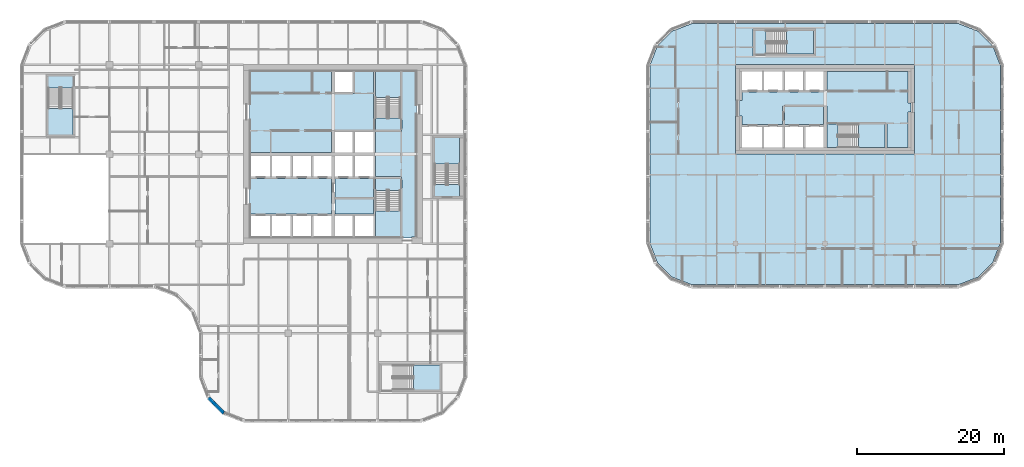
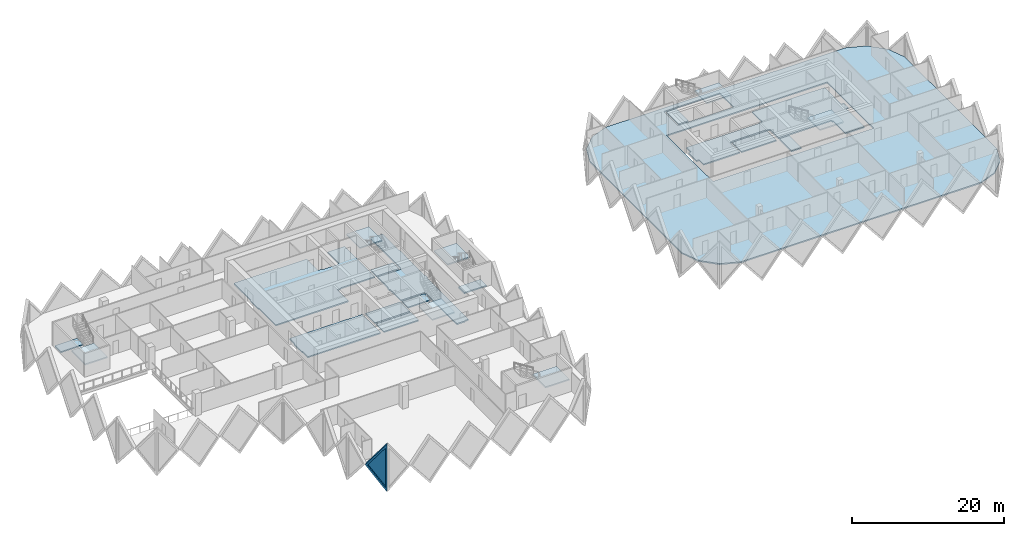
# One storey, part 3 of 19: 21 slabs, 1 plate, 1 wall, 1 opening, 7 elements without a shape of their own.
"""IFC4 building model written with IfcOpenShell, lengths in metres."""

import ifcopenshell
import ifcopenshell.guid

model = None  # the IFC model being written
_history = None  # IfcOwnerHistory: only IFC2X3 demands one
_inside = {}  # id of a spatial element -> (the spatial element, [elements in it])
_under = {}  # id of a project, library or spatial element -> (it, [spatial elements below it])
_declared = {}  # id of a project -> (the project, [libraries it declares])
_typed = {}  # id of a type object -> (the type object, [elements of that type])
_made_of = {}  # id of a material, layer set ... -> (it, [elements and type objects made of it])


def new_model(schema):
    """Start an empty IFC model of exactly this schema.

    Asked for "IFC4X3", IfcOpenShell would pick the latest addendum, in which some entities
    have other attributes; the version numbers below select the first issue.
    IFC2X3 requires an IfcOwnerHistory on every rooted entity: one is made here for all.
    """
    global model, _history
    if schema == "IFC4X3":
        model = ifcopenshell.file(schema_version=(4, 3, 0, 0))
    else:
        model = ifcopenshell.file(schema=schema)
    _inside.clear()
    _under.clear()
    _declared.clear()
    _typed.clear()
    _made_of.clear()
    _history = None
    if model.schema == "IFC2X3":
        org = make("IfcOrganization", Name="unknown")
        user = make(
            "IfcPersonAndOrganization",
            ThePerson=make("IfcPerson", FamilyName="unknown"),
            TheOrganization=org,
        )
        app = make(
            "IfcApplication",
            ApplicationDeveloper=org,
            Version="unknown",
            ApplicationFullName="unknown",
            ApplicationIdentifier="unknown",
        )
        _history = make(
            "IfcOwnerHistory",
            OwningUser=user,
            OwningApplication=app,
            ChangeAction="ADDED",
            CreationDate=0,
        )
    return model


def make(cls, **values):
    """One entity of the class cls with the attributes given. An attribute that is None is left unset."""
    return model.create_entity(
        cls, **{name: value for name, value in values.items() if value is not None}
    )


def rooted(cls, **values):
    """An entity with a GlobalId (a new one), such as an element, a storey or a relation."""
    return make(cls, GlobalId=ifcopenshell.guid.new(), OwnerHistory=_history, **values)


def si_unit(unit_type, name, prefix=None):
    """IfcSIUnit, for example si_unit("LENGTHUNIT", "METRE", prefix="MILLI")."""
    return make("IfcSIUnit", UnitType=unit_type, Prefix=prefix, Name=name)


def assignment(units):
    """IfcUnitAssignment: the units of a project."""
    return None if units is None else make("IfcUnitAssignment", Units=units)


def point(xyz):
    """IfcCartesianPoint."""
    return None if xyz is None else make("IfcCartesianPoint", Coordinates=xyz)


def direction(xyz):
    """IfcDirection."""
    return None if xyz is None else make("IfcDirection", DirectionRatios=xyz)


def frame(location, z_axis=None, x_axis=None):
    """IfcAxis2Placement3D, a coordinate frame: its origin and axes. An axis left out is left unset."""
    return make(
        "IfcAxis2Placement3D",
        Location=point(location),
        Axis=direction(z_axis),
        RefDirection=direction(x_axis),
    )


def origin():
    """The frame at (0, 0, 0) with its axes left unset."""
    return frame((0.0, 0.0, 0.0))


def place(relative_to, where):
    """IfcLocalPlacement: puts the frame where relative to a parent placement (None: the world)."""
    return make(
        "IfcLocalPlacement", PlacementRelTo=relative_to, RelativePlacement=where
    )


def context(
    kind, dimensions, precision=None, world=None, true_north=None, identifier=None
):
    """IfcGeometricRepresentationContext, for example the 3D "Model" context."""
    return make(
        "IfcGeometricRepresentationContext",
        ContextIdentifier=identifier,
        ContextType=kind,
        CoordinateSpaceDimension=dimensions,
        Precision=precision,
        WorldCoordinateSystem=world,
        TrueNorth=true_north,
    )


def subcontext(parent, identifier, kind, view, scale=None):
    """IfcGeometricRepresentationSubContext, for example "Body" below "Model"."""
    return make(
        "IfcGeometricRepresentationSubContext",
        ContextIdentifier=identifier,
        ContextType=kind,
        ParentContext=parent,
        TargetScale=scale,
        TargetView=view,
    )


def project(units=None, contexts=None):
    """IfcProject with its units and contexts."""
    return rooted(
        "IfcProject",
        Name="project",
        RepresentationContexts=contexts,
        UnitsInContext=assignment(units),
    )


def spatial(cls, under=None, at=None, **own):
    """A site, building, storey or space (cls), placed at a placement, below another one or the project."""
    s = rooted(cls, ObjectPlacement=at, **own)
    if under is not None:
        _under.setdefault(under.id(), (under, []))[1].append(s)
    return s


def polyline(points):
    """IfcPolyline through the points."""
    return make("IfcPolyline", Points=[point(p) for p in points])


def outline(outer, holes=None, kind="AREA"):
    """IfcArbitraryClosedProfileDef: a profile drawn as a closed curve; with holes, ...WithVoids."""
    if holes is None:
        return make("IfcArbitraryClosedProfileDef", ProfileType=kind, OuterCurve=outer)
    return make(
        "IfcArbitraryProfileDefWithVoids",
        ProfileType=kind,
        OuterCurve=outer,
        InnerCurves=holes,
    )


def extrude(swept, where, along, depth):
    """IfcExtrudedAreaSolid: the profile swept, set in the frame where, extruded along a direction by depth."""
    return make(
        "IfcExtrudedAreaSolid",
        SweptArea=swept,
        Position=where,
        ExtrudedDirection=direction(along),
        Depth=depth,
    )


def faces_of(points, faces, orient=None, outer=None):
    """IfcFace entities. A face is a list of loops; a loop is a list of indices into points, from 0.

    orient and outer hold one flag for each loop. By default every Orientation is true, the
    first loop of a face is its IfcFaceOuterBound and the others are IfcFaceBound.
    """
    made = []
    for i, loops in enumerate(faces):
        bounds = []
        for j, loop in enumerate(loops):
            is_outer = j == 0 if outer is None else outer[i][j]
            bounds.append(
                make(
                    "IfcFaceOuterBound" if is_outer else "IfcFaceBound",
                    Bound=make("IfcPolyLoop", Polygon=[points[k] for k in loop]),
                    Orientation=True if orient is None else orient[i][j],
                )
            )
        made.append(make("IfcFace", Bounds=bounds))
    return made


def faceted_brep(points, faces, orient=None, outer=None, voids=None):
    """IfcFacetedBrep: a solid bounded by flat faces; with voids (closed shells), ...WithVoids."""
    shared = [point(p) for p in points]
    hull = make("IfcClosedShell", CfsFaces=faces_of(shared, faces, orient, outer))
    if voids is None:
        return make("IfcFacetedBrep", Outer=hull)
    return make(
        "IfcFacetedBrepWithVoids",
        Outer=hull,
        Voids=[
            make(cls, CfsFaces=faces_of(shared, fs, o, b)) for cls, fs, o, b in voids
        ],
    )


def shape(context_of_items, identifier, shape_type, items):
    """IfcShapeRepresentation: the items that make up one representation, for example the "Body"."""
    return make(
        "IfcShapeRepresentation",
        ContextOfItems=context_of_items,
        RepresentationIdentifier=identifier,
        RepresentationType=shape_type,
        Items=items,
    )


def source(mapping_origin, context_of_items, identifier, shape_type, items):
    """IfcRepresentationMap: a shape defined once, which mapped items show again and again."""
    return make(
        "IfcRepresentationMap",
        MappingOrigin=mapping_origin,
        MappedRepresentation=shape(context_of_items, identifier, shape_type, items),
    )


def transform(
    local_origin,
    x_axis=None,
    y_axis=None,
    z_axis=None,
    scale=None,
    scale2=None,
    scale3=None,
    uniform=True,
):
    """IfcCartesianTransformationOperator3D, or its non-uniform kind. x_axis, y_axis, z_axis: its Axis1, 2, 3."""
    if uniform:
        return make(
            "IfcCartesianTransformationOperator3D",
            Axis1=direction(x_axis),
            Axis2=direction(y_axis),
            LocalOrigin=point(local_origin),
            Scale=scale,
            Axis3=direction(z_axis),
        )
    return make(
        "IfcCartesianTransformationOperator3DnonUniform",
        Axis1=direction(x_axis),
        Axis2=direction(y_axis),
        LocalOrigin=point(local_origin),
        Scale=scale,
        Axis3=direction(z_axis),
        Scale2=scale2,
        Scale3=scale3,
    )


def mapped(mapping_source, mapping_target):
    """IfcMappedItem: shows the shape of a source again, moved by a transform."""
    return make(
        "IfcMappedItem", MappingSource=mapping_source, MappingTarget=mapping_target
    )


def material(Name=None, Category=None):
    """IfcMaterial."""
    return make("IfcMaterial", Name=Name, Category=Category)


def layer(
    of_material, thickness, ventilated=None, Name=None, Category=None, Priority=None
):
    """IfcMaterialLayer: one layer of a wall or slab, of a material (None: an air gap)."""
    return make(
        "IfcMaterialLayer",
        Material=of_material,
        LayerThickness=thickness,
        IsVentilated=ventilated,
        Name=Name,
        Category=Category,
        Priority=Priority,
    )


def layer_set(layers, Name=None):
    """IfcMaterialLayerSet."""
    return make("IfcMaterialLayerSet", MaterialLayers=layers, LayerSetName=Name)


def made_of(thing, what):
    """Note that an element or type object is made of a material, layer set ...; save() writes the relation."""
    if what is not None:
        _made_of.setdefault(what.id(), (what, []))[1].append(thing)
    return thing


def type_object(cls, material=None, **own):
    """A type object (cls), such as IfcWallType, which elements share."""
    return made_of(rooted(cls, **own), material)


def element(
    cls,
    number,
    at=None,
    inside=None,
    cuts=None,
    type_object=None,
    material=None,
    context=None,
    identifier="Body",
    shape_type=None,
    held_by="IfcProductDefinitionShape",
    body=None,
    shapes=None,
    **own,
):
    """One element of the class cls, such as IfcWall. Its Tag is "e" and its number.

    at: its placement. inside: the storey or other place that contains it. cuts: it is an
    opening in that element (IfcRelVoidsElement). A single representation is given by context,
    identifier, shape_type and body (its items); several are given by shapes. held_by: the class
    of the entity that holds the representations. save() writes the other relations.
    """
    e = rooted(cls, Tag="e%d" % number, ObjectPlacement=at, **own)
    if body is not None:
        shapes = [shape(context, identifier, shape_type, body)]
    if shapes is not None:
        e.Representation = make(held_by, Representations=shapes)
    if inside is not None:
        _inside.setdefault(inside.id(), (inside, []))[1].append(e)
    if cuts is not None:
        rooted(
            "IfcRelVoidsElement", RelatingBuildingElement=cuts, RelatedOpeningElement=e
        )
    if type_object is not None:
        _typed.setdefault(type_object.id(), (type_object, []))[1].append(e)
    return made_of(e, material)


def fill(opening, filler):
    """IfcRelFillsElement: the door or window that sits in an opening."""
    return rooted(
        "IfcRelFillsElement",
        RelatingOpeningElement=opening,
        RelatedBuildingElement=filler,
    )


def aggregate(whole, parts):
    """IfcRelAggregates: a whole, such as a stair, and the parts it consists of."""
    return rooted("IfcRelAggregates", RelatingObject=whole, RelatedObjects=parts)


def save(model, path):
    """Write the relations noted so far, then the file.

    IfcRelAggregates (storeys below a building ...), IfcRelContainedInSpatialStructure (elements
    in a storey), IfcRelDefinesByType, IfcRelAssociatesMaterial and IfcRelDeclares: one each for
    every whole, place, type object, material and project.
    """
    for whole, parts in _under.values():
        aggregate(whole, parts)
    for where, things in _inside.values():
        rooted(
            "IfcRelContainedInSpatialStructure",
            RelatedElements=things,
            RelatingStructure=where,
        )
    for kind, things in _typed.values():
        rooted("IfcRelDefinesByType", RelatedObjects=things, RelatingType=kind)
    for what, things in _made_of.values():
        rooted("IfcRelAssociatesMaterial", RelatedObjects=things, RelatingMaterial=what)
    for by, libraries in _declared.values():
        rooted("IfcRelDeclares", RelatingContext=by, RelatedDefinitions=libraries)
    model.write(path)


model = new_model("IFC4")

# Units and contexts
model_context = context("Model", 3, precision=1e-05, world=origin(), true_north=direction((0.0, 1.0)))
body_context = subcontext(model_context, "Body", "Model", "MODEL_VIEW")
ifc_project = project(units=[si_unit("LENGTHUNIT", "METRE"), si_unit("AREAUNIT", "SQUARE_METRE"), si_unit("VOLUMEUNIT", "CUBIC_METRE"), si_unit("PLANEANGLEUNIT", "RADIAN"), si_unit("MASSUNIT", "GRAM", prefix="KILO")], contexts=[model_context])

# Site, building, storey
site_placement = place(None, origin())
site = spatial("IfcSite", under=ifc_project, at=site_placement, CompositionType="ELEMENT")
building_placement = place(site_placement, origin())
building = spatial("IfcBuilding", under=site, at=building_placement, Name="Tessera Gate Towers", CompositionType="ELEMENT")
storey_placement = place(building_placement, frame((0.0, 0.0, 72.39990234375)))
storey = spatial("IfcBuildingStorey", under=building, at=storey_placement, Name="L17", CompositionType="ELEMENT", Elevation=72.39990234375)

# Slabs
ifc_material_1 = material(Name="Concrete C35/45", Category="concrete")
ifc_layer_1 = layer(ifc_material_1, 0.199951171875)
ifc_layer_set_1 = layer_set([ifc_layer_1], Name="COMPOSITE FLOOR 200")
slab_type_1 = type_object("IfcSlabType", Name="COMPOSITE FLOOR 200", PredefinedType="FLOOR", material=ifc_layer_set_1)
slab_1_placement = place(storey_placement, frame((0.0, 0.0, -0.199951171875)))
element("IfcSlab", 1, at=slab_1_placement, inside=storey, type_object=slab_type_1, Name="T2-L17", PredefinedType="FLOOR", context=body_context, shape_type="SweptSolid", body=[
    extrude(outline(polyline([(85.89990234375, 24.4931640625), (86.926025390625, 21.8330078125), (88.93310546875, 19.826171875), (91.593017578125, 18.800048828125), (128.0068359375, 18.800048828125), (130.6669921875, 19.826171875), (132.673828125, 21.8330078125), (133.699951171875, 24.4931640625), (133.699951171875, 48.706787109375), (132.673828125, 51.366943359375), (130.6669921875, 53.373779296875), (128.0068359375, 54.39990234375), (91.593017578125, 54.39990234375), (88.93310546875, 53.373779296875), (86.926025390625, 51.366943359375), (85.89990234375, 48.706787109375), (85.89990234375, 24.4931640625)]), holes=[polyline([(97.60009765625, 36.60009765625), (97.60009765625, 48.800048828125), (122.0, 48.800048828125), (122.0, 36.60009765625), (97.60009765625, 36.60009765625)]), polyline([(100.0, 50.0), (100.0, 53.699951171875), (108.5, 53.699951171875), (108.5, 50.0), (100.0, 50.0)])]), origin(), (0.0, 0.0, 1.0), 0.199951171875),
])
ifc_material_2 = material(Name="Concrete C35/45", Category="concrete")
ifc_layer_2 = layer(ifc_material_2, 0.199951171875)
ifc_layer_set_2 = layer_set([ifc_layer_2], Name="CORE FLOOR SLAB 200")
slab_type_2 = type_object("IfcSlabType", Name="CORE FLOOR SLAB 200", PredefinedType="FLOOR", material=ifc_layer_set_2)
slab_2_placement = place(storey_placement, frame((0.0, 0.0, -0.199951171875)))
element("IfcSlab", 2, at=slab_2_placement, inside=storey, type_object=slab_type_2, Name="L17 core floor slab", PredefinedType="FLOOR", context=body_context, shape_type="SweptSolid", body=[
    extrude(outline(polyline([(31.39990234375, 47.89990234375), (31.39990234375, 43.39990234375), (31.300048828125, 43.39990234375), (31.300048828125, 41.300048828125), (31.39990234375, 41.300048828125), (31.39990234375, 36.85009765625), (42.449951171875, 36.85009765625), (42.449951171875, 39.800048828125), (42.949951171875, 39.800048828125), (42.949951171875, 39.925048828125), (48.22509765625, 39.925048828125), (48.22509765625, 47.89990234375), (45.64990234375, 47.89990234375), (45.64990234375, 44.89990234375), (45.39990234375, 44.89990234375), (45.39990234375, 44.77490234375), (42.949951171875, 44.77490234375), (42.949951171875, 44.89990234375), (42.449951171875, 44.89990234375), (42.449951171875, 47.89990234375), (31.39990234375, 47.89990234375)])), origin(), (0.0, 0.0, 1.0), 0.199951171875),
])
slab_3_placement = place(storey_placement, frame((0.0, 0.0, -0.199951171875)))
element("IfcSlab", 3, at=slab_3_placement, inside=storey, type_object=slab_type_2, Name="L17 core floor slab", PredefinedType="FLOOR", context=body_context, shape_type="SweptSolid", body=[
    extrude(outline(polyline([(52.199951171875, 25.199951171875), (53.39990234375, 25.199951171875), (53.39990234375, 25.300048828125), (54.0, 25.300048828125), (54.0, 36.320068359375), (54.10009765625, 36.320068359375), (54.10009765625, 36.8798828125), (54.0, 36.8798828125), (54.0, 42.10009765625), (54.10009765625, 42.10009765625), (54.10009765625, 43.300048828125), (54.0, 43.300048828125), (54.0, 47.89990234375), (52.125, 47.89990234375), (52.125, 39.925048828125), (52.0, 39.925048828125), (52.0, 39.675048828125), (48.47509765625, 39.675048828125), (48.47509765625, 36.85009765625), (48.35009765625, 36.85009765625), (48.35009765625, 36.35009765625), (48.47509765625, 36.35009765625), (48.47509765625, 33.52490234375), (52.0, 33.52490234375), (52.0, 33.27490234375), (52.125, 33.27490234375), (52.125, 25.300048828125), (52.199951171875, 25.300048828125), (52.199951171875, 25.199951171875)])), origin(), (0.0, 0.0, 1.0), 0.199951171875),
])
slab_4_placement = place(storey_placement, frame((0.0, 0.0, -0.199951171875)))
element("IfcSlab", 4, at=slab_4_placement, inside=storey, type_object=slab_type_2, Name="L17 core floor slab", PredefinedType="FLOOR", context=body_context, shape_type="SweptSolid", body=[
    extrude(outline(polyline([(31.39990234375, 29.800048828125), (31.39990234375, 28.425048828125), (42.449951171875, 28.425048828125), (42.449951171875, 33.27490234375), (31.39990234375, 33.27490234375), (31.39990234375, 31.89990234375), (31.300048828125, 31.89990234375), (31.300048828125, 29.800048828125), (31.39990234375, 29.800048828125)])), origin(), (0.0, 0.0, 1.0), 0.199951171875),
])
slab_5_placement = place(storey_placement, frame((0.0, 0.0, -0.199951171875)))
element("IfcSlab", 5, at=slab_5_placement, inside=storey, type_object=slab_type_2, Name="L17 core floor slab", PredefinedType="FLOOR", context=body_context, shape_type="SweptSolid", body=[
    extrude(outline(polyline([(42.949951171875, 33.27490234375), (42.949951171875, 30.72509765625), (48.22509765625, 30.72509765625), (48.22509765625, 33.27490234375), (42.949951171875, 33.27490234375)])), origin(), (0.0, 0.0, 1.0), 0.199951171875),
])
slab_6_placement = place(storey_placement, frame((0.0, 0.0, -0.199951171875)))
element("IfcSlab", 6, at=slab_6_placement, inside=storey, type_object=slab_type_2, Name="L17 core floor slab", PredefinedType="FLOOR", context=body_context, shape_type="SweptSolid", body=[
    extrude(outline(polyline([(42.949951171875, 30.47509765625), (42.949951171875, 28.425048828125), (48.22509765625, 28.425048828125), (48.22509765625, 30.47509765625), (42.949951171875, 30.47509765625)])), origin(), (0.0, 0.0, 1.0), 0.199951171875),
])
slab_7_placement = place(storey_placement, frame((0.0, 0.0, -0.199951171875)))
element("IfcSlab", 7, at=slab_7_placement, inside=storey, type_object=slab_type_2, Name="L17 core floor slab", PredefinedType="FLOOR", context=body_context, shape_type="SweptSolid", body=[
    extrude(outline(polyline([(51.875, 31.675048828125), (51.875, 33.27490234375), (48.47509765625, 33.27490234375), (48.47509765625, 31.675048828125), (51.875, 31.675048828125)])), origin(), (0.0, 0.0, 1.0), 0.199951171875),
])
slab_8_placement = place(storey_placement, frame((0.0, 0.0, -0.199951171875)))
element("IfcSlab", 8, at=slab_8_placement, inside=storey, type_object=slab_type_2, Name="L17 core floor slab", PredefinedType="FLOOR", context=body_context, shape_type="SweptSolid", body=[
    extrude(outline(polyline([(48.47509765625, 41.52490234375), (48.47509765625, 39.925048828125), (51.875, 39.925048828125), (51.875, 41.52490234375), (48.47509765625, 41.52490234375)])), origin(), (0.0, 0.0, 1.0), 0.199951171875),
])
slab_9_placement = place(storey_placement, frame((0.0, 0.0, -0.199951171875)))
element("IfcSlab", 9, at=slab_9_placement, inside=storey, type_object=slab_type_2, Name="L17 ST3 floor landing", PredefinedType="FLOOR", context=body_context, shape_type="SweptSolid", body=[
    extrude(outline(polyline([(3.85009765625, 47.25), (3.85009765625, 45.64990234375), (7.25, 45.64990234375), (7.25, 47.25), (3.85009765625, 47.25)])), origin(), (0.0, 0.0, 1.0), 0.199951171875),
])
slab_10_placement = place(storey_placement, frame((0.0, 0.0, -0.199951171875)))
element("IfcSlab", 10, at=slab_10_placement, inside=storey, type_object=slab_type_2, Name="L17 ST5 floor landing", PredefinedType="FLOOR", context=body_context, shape_type="SweptSolid", body=[
    extrude(outline(polyline([(59.949951171875, 30.85009765625), (59.949951171875, 32.449951171875), (56.550048828125, 32.449951171875), (56.550048828125, 30.85009765625), (59.949951171875, 30.85009765625)])), origin(), (0.0, 0.0, 1.0), 0.199951171875),
])
slab_11_placement = place(storey_placement, frame((0.0, 0.0, -0.199951171875)))
element("IfcSlab", 11, at=slab_11_placement, inside=storey, type_object=slab_type_2, Name="L17 core floor slab", PredefinedType="FLOOR", context=body_context, shape_type="SweptSolid", body=[
    extrude(outline(polyline([(109.550048828125, 45.199951171875), (109.550048828125, 45.074951171875), (98.5, 45.074951171875), (98.5, 43.89990234375), (98.10009765625, 43.89990234375), (98.10009765625, 41.800048828125), (98.5, 41.800048828125), (98.5, 40.625), (104.02490234375, 40.625), (104.02490234375, 43.199951171875), (104.27490234375, 43.199951171875), (104.27490234375, 43.324951171875), (109.550048828125, 43.324951171875), (109.550048828125, 43.199951171875), (110.050048828125, 43.199951171875), (110.050048828125, 40.949951171875), (118.10009765625, 40.949951171875), (118.10009765625, 40.699951171875), (118.22509765625, 40.699951171875), (118.22509765625, 37.5), (121.10009765625, 37.5), (121.10009765625, 42.35009765625), (121.5, 42.35009765625), (121.5, 43.550048828125), (121.10009765625, 43.550048828125), (121.10009765625, 47.89990234375), (110.050048828125, 47.89990234375), (110.050048828125, 45.199951171875), (109.550048828125, 45.199951171875)])), origin(), (0.0, 0.0, 1.0), 0.199951171875),
])
slab_12_placement = place(storey_placement, frame((0.0, 0.0, -0.199951171875)))
element("IfcSlab", 12, at=slab_12_placement, inside=storey, type_object=slab_type_2, Name="L17 core floor slab", PredefinedType="FLOOR", context=body_context, shape_type="SweptSolid", body=[
    extrude(outline(polyline([(109.550048828125, 43.074951171875), (104.27490234375, 43.074951171875), (104.27490234375, 40.625), (109.550048828125, 40.625), (109.550048828125, 43.074951171875)])), origin(), (0.0, 0.0, 1.0), 0.199951171875),
])
slab_13_placement = place(storey_placement, frame((0.0, 0.0, -0.199951171875)))
element("IfcSlab", 13, at=slab_13_placement, inside=storey, type_object=slab_type_2, Name="L17 core floor slab", PredefinedType="FLOOR", context=body_context, shape_type="SweptSolid", body=[
    extrude(outline(polyline([(111.550048828125, 37.5), (111.550048828125, 40.699951171875), (110.050048828125, 40.699951171875), (110.050048828125, 37.5), (111.550048828125, 37.5)])), origin(), (0.0, 0.0, 1.0), 0.199951171875),
])
slab_14_placement = place(storey_placement, frame((0.0, 0.0, -0.199951171875)))
element("IfcSlab", 14, at=slab_14_placement, inside=storey, type_object=slab_type_2, Name="L17 ST7 floor landing", PredefinedType="FLOOR", context=body_context, shape_type="SweptSolid", body=[
    extrude(outline(polyline([(100.25, 50.25), (101.75, 50.25), (101.75, 53.449951171875), (100.25, 53.449951171875), (100.25, 50.25)])), origin(), (0.0, 0.0, 1.0), 0.199951171875),
])

# Stair, slab
ifc_material_3 = material(Name="Concrete C40/50", Category="concrete")
stair_type_1 = type_object("IfcStairType", Name="EXIT STAIR ST1 1600", PredefinedType="HALF_TURN_STAIR", material=ifc_material_3)
stair_1_placement = place(storey_placement, origin())
stair_1 = element("IfcStair", 15, at=stair_1_placement, inside=storey, type_object=stair_type_1, Name="L17 Protected Exit Stair ST1", PredefinedType="HALF_TURN_STAIR")
ifc_material_4 = material(Name="Concrete C40/50", Category="concrete")
ifc_layer_3 = layer(ifc_material_4, 0.199951171875)
ifc_layer_set_3 = layer_set([ifc_layer_3], Name="EXIT STAIR LANDING 200")
slab_type_3 = type_object("IfcSlabType", Name="EXIT STAIR LANDING 200", PredefinedType="LANDING", material=ifc_layer_set_3)
slab_15_placement = place(storey_placement, frame((0.0, 0.0, 1.7001953125)))
slab_15 = element("IfcSlab", 16, at=slab_15_placement, type_object=slab_type_3, Name="ST1 landing 1", PredefinedType="LANDING", context=body_context, shape_type="SweptSolid", body=[
    extrude(outline(polyline([(48.47509765625, 28.875), (48.47509765625, 25.300048828125), (51.875, 25.300048828125), (51.875, 28.875), (48.47509765625, 28.875)])), origin(), (0.0, 0.0, 1.0), 0.199951171875),
])
aggregate(stair_1, [slab_15])

ifc_material_5 = material(Name="Concrete C40/50", Category="concrete")
stair_type_2 = type_object("IfcStairType", Name="EXIT STAIR ST2 1600", PredefinedType="HALF_TURN_STAIR", material=ifc_material_5)
stair_2_placement = place(storey_placement, origin())
stair_2 = element("IfcStair", 17, at=stair_2_placement, inside=storey, type_object=stair_type_2, Name="L17 Protected Exit Stair ST2", PredefinedType="HALF_TURN_STAIR")
slab_16_placement = place(storey_placement, frame((0.0, 0.0, 1.7001953125)))
slab_16 = element("IfcSlab", 18, at=slab_16_placement, type_object=slab_type_3, Name="ST2 landing 1", PredefinedType="LANDING", context=body_context, shape_type="SweptSolid", body=[
    extrude(outline(polyline([(51.875, 44.324951171875), (51.875, 47.89990234375), (48.47509765625, 47.89990234375), (48.47509765625, 44.324951171875), (51.875, 44.324951171875)])), origin(), (0.0, 0.0, 1.0), 0.199951171875),
])
aggregate(stair_2, [slab_16])

ifc_material_6 = material(Name="Concrete C40/50", Category="concrete")
stair_type_3 = type_object("IfcStairType", Name="EXIT STAIR ST3 1600", PredefinedType="HALF_TURN_STAIR", material=ifc_material_6)
stair_3_placement = place(storey_placement, origin())
stair_3 = element("IfcStair", 19, at=stair_3_placement, inside=storey, type_object=stair_type_3, Name="L17 West Exit Stair ST3", PredefinedType="HALF_TURN_STAIR")
slab_17_placement = place(storey_placement, frame((0.0, 0.0, 1.7001953125)))
slab_17 = element("IfcSlab", 20, at=slab_17_placement, type_object=slab_type_3, Name="ST3 landing 1", PredefinedType="LANDING", context=body_context, shape_type="SweptSolid", body=[
    extrude(outline(polyline([(3.85009765625, 42.85009765625), (3.85009765625, 39.25), (7.25, 39.25), (7.25, 42.85009765625), (3.85009765625, 42.85009765625)])), origin(), (0.0, 0.0, 1.0), 0.199951171875),
])
aggregate(stair_3, [slab_17])

ifc_material_7 = material(Name="Concrete C40/50", Category="concrete")
stair_type_4 = type_object("IfcStairType", Name="EXIT STAIR ST4 1600", PredefinedType="HALF_TURN_STAIR", material=ifc_material_7)
stair_4_placement = place(storey_placement, origin())
stair_4 = element("IfcStair", 21, at=stair_4_placement, inside=storey, type_object=stair_type_4, Name="L17 South Exit Stair ST4", PredefinedType="HALF_TURN_STAIR")
slab_18_placement = place(storey_placement, frame((0.0, 0.0, 1.7001953125)))
slab_18 = element("IfcSlab", 22, at=slab_18_placement, type_object=slab_type_3, Name="ST4 landing 1", PredefinedType="LANDING", context=body_context, shape_type="SweptSolid", body=[
    extrude(outline(polyline([(53.64990234375, 4.449951171875), (57.25, 4.449951171875), (57.25, 7.85009765625), (53.64990234375, 7.85009765625), (53.64990234375, 4.449951171875)])), origin(), (0.0, 0.0, 1.0), 0.199951171875),
])
aggregate(stair_4, [slab_18])

ifc_material_8 = material(Name="Concrete C40/50", Category="concrete")
stair_type_5 = type_object("IfcStairType", Name="EXIT STAIR ST5 1600", PredefinedType="HALF_TURN_STAIR", material=ifc_material_8)
stair_5_placement = place(storey_placement, origin())
stair_5 = element("IfcStair", 23, at=stair_5_placement, inside=storey, type_object=stair_type_5, Name="L17 East Exit Stair ST5", PredefinedType="HALF_TURN_STAIR")
slab_19_placement = place(storey_placement, frame((0.0, 0.0, 1.7001953125)))
slab_19 = element("IfcSlab", 24, at=slab_19_placement, type_object=slab_type_3, Name="ST5 landing 1", PredefinedType="LANDING", context=body_context, shape_type="SweptSolid", body=[
    extrude(outline(polyline([(59.949951171875, 35.25), (59.949951171875, 38.85009765625), (56.550048828125, 38.85009765625), (56.550048828125, 35.25), (59.949951171875, 35.25)])), origin(), (0.0, 0.0, 1.0), 0.199951171875),
])
aggregate(stair_5, [slab_19])

ifc_material_9 = material(Name="Concrete C40/50", Category="concrete")
stair_type_6 = type_object("IfcStairType", Name="EXIT STAIR ST6 1500", PredefinedType="HALF_TURN_STAIR", material=ifc_material_9)
stair_6_placement = place(storey_placement, origin())
stair_6 = element("IfcStair", 25, at=stair_6_placement, inside=storey, type_object=stair_type_6, Name="L17 Protected Exit Stair ST6", PredefinedType="HALF_TURN_STAIR")
slab_20_placement = place(storey_placement, frame((0.0, 0.0, 1.7001953125)))
slab_20 = element("IfcSlab", 26, at=slab_20_placement, type_object=slab_type_3, Name="ST6 landing 1", PredefinedType="LANDING", context=body_context, shape_type="SweptSolid", body=[
    extrude(outline(polyline([(114.35009765625, 37.5), (117.97509765625, 37.5), (117.97509765625, 40.699951171875), (114.35009765625, 40.699951171875), (114.35009765625, 37.5)])), origin(), (0.0, 0.0, 1.0), 0.199951171875),
])
aggregate(stair_6, [slab_20])

ifc_material_10 = material(Name="Concrete C40/50", Category="concrete")
stair_type_7 = type_object("IfcStairType", Name="EXIT STAIR ST7 1500", PredefinedType="HALF_TURN_STAIR", material=ifc_material_10)
stair_7_placement = place(storey_placement, origin())
stair_7 = element("IfcStair", 27, at=stair_7_placement, inside=storey, type_object=stair_type_7, Name="L17 North Exit Stair ST7", PredefinedType="HALF_TURN_STAIR")
slab_21_placement = place(storey_placement, frame((0.0, 0.0, 1.7001953125)))
slab_21 = element("IfcSlab", 28, at=slab_21_placement, type_object=slab_type_3, Name="ST7 landing 1", PredefinedType="LANDING", context=body_context, shape_type="SweptSolid", body=[
    extrude(outline(polyline([(104.550048828125, 50.25), (108.25, 50.25), (108.25, 53.449951171875), (104.550048828125, 53.449951171875), (104.550048828125, 50.25)])), origin(), (0.0, 0.0, 1.0), 0.199951171875),
])
aggregate(stair_7, [slab_21])

# Wall, opening, plate
ifc_material_11 = material(Name="Precast concrete C60/75 white", Category="concrete")
ifc_layer_4 = layer(ifc_material_11, 0.5)
ifc_layer_set_4 = layer_set([ifc_layer_4], Name="TS3 corner tessera")
wall_type = type_object("IfcWallType", Name="TS3 corner tessera", PredefinedType="SOLIDWALL", material=ifc_layer_set_4)
shared_shape_1 = source(origin(), body_context, "Body", "Brep", [
    faceted_brep([(2.944091796875, -0.25, 0.0), (2.9970703125, -0.25, 0.068115234375), (2.9970703125, -0.25, 7.53173828125), (2.944091796875, -0.25, 7.599853515625), (0.0, -0.25, 3.7998046875), (0.052978515625, 0.25, 3.8681640625), (2.89111328125, 0.25, 7.53173828125), (2.89111328125, 0.25, 0.068115234375), (0.052978515625, 0.25, 3.7314453125), (2.944091796875, 0.000244140625, 0.0), (2.944091796875, 0.000244140625, 7.599853515625), (0.0, 0.0, 3.7998046875)], [[[0, 1, 2, 3, 4]], [[5, 6, 7, 8]], [[1, 0, 9]], [[10, 3, 2]], [[6, 5, 11, 4, 3, 10]], [[8, 7, 9, 0, 4, 11]], [[8, 11, 5]], [[1, 9, 7, 6, 10, 2]]]),
])
wall_placement = place(storey_placement, frame((25.7119140625, 3.393798828125, -3.7998046875), z_axis=(0.0, 0.0, 1.0), x_axis=(0.707066050402, -0.707147509625, 0.0)))
wall = element("IfcWall", 29, at=wall_placement, inside=storey, type_object=wall_type, Name="Precast corner tessera T1 TS3-0383", PredefinedType="SOLIDWALL", context=body_context, shape_type="MappedRepresentation", body=[
    mapped(shared_shape_1, transform((0.0, 0.0, 0.0), scale=1.0)),
])
shared_shape_2 = source(origin(), body_context, "Body", "SweptSolid", [
    extrude(outline(polyline([(2.744140625, 6.93359375), (0.316162109375, 3.7998046875), (2.744140625, 0.666259765625), (2.744140625, 6.93359375)])), frame((0.0, 0.260009765625, 0.0), z_axis=(0.0, -1.0, 0.0), x_axis=(1.0, 0.0, 0.0)), (0.0, 0.0, 1.0), 0.52001953125),
])
opening_placement = place(wall_placement, origin())
opening = element("IfcOpeningElement", 30, at=opening_placement, cuts=wall, Name="Opening T1-PL2-0515", PredefinedType="OPENING", context=body_context, shape_type="MappedRepresentation", body=[
    mapped(shared_shape_2, transform((0.0, 0.0, 0.0), scale=1.0)),
])
ifc_material_12 = material(Name="Low-e laminated glass", Category="glass")
ifc_layer_5 = layer(ifc_material_12, 0.06005859375)
ifc_layer_set_5 = layer_set([ifc_layer_5], Name="PL2 rhombic pane")
plate_type = type_object("IfcPlateType", Name="PL2 rhombic pane", PredefinedType="SHEET", material=ifc_layer_set_5)
shared_shape_3 = source(origin(), body_context, "Body", "SweptSolid", [
    extrude(outline(polyline([(2.744140625, 6.93359375), (0.316162109375, 3.7998046875), (2.744140625, 0.666259765625), (2.744140625, 6.93359375)])), frame((0.0, 0.030029296875, 0.0), z_axis=(0.0, -1.0, 0.0), x_axis=(1.0, 0.0, 0.0)), (0.0, 0.0, 1.0), 0.06005859375),
])
plate_placement = place(opening_placement, origin())
plate = element("IfcPlate", 31, at=plate_placement, inside=storey, type_object=plate_type, Name="Glass pane T1 PL2-0515", PredefinedType="SHEET", context=body_context, shape_type="MappedRepresentation", body=[
    mapped(shared_shape_3, transform((0.0, 0.0, 0.0), scale=1.0)),
])
fill(opening, plate)

save(model, "model.ifc")
